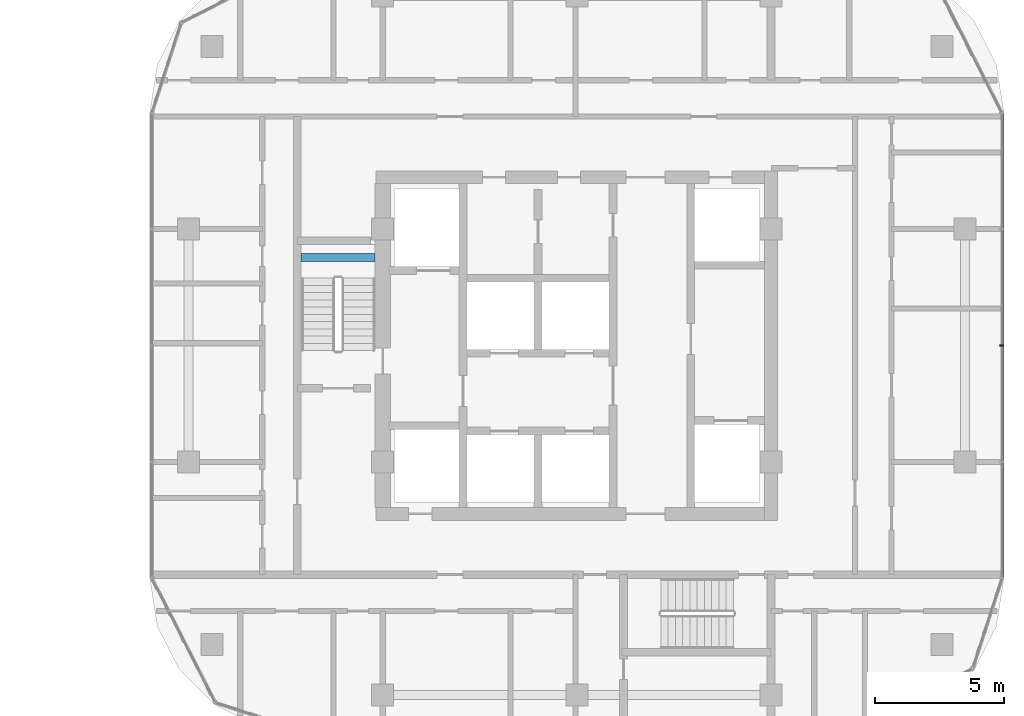
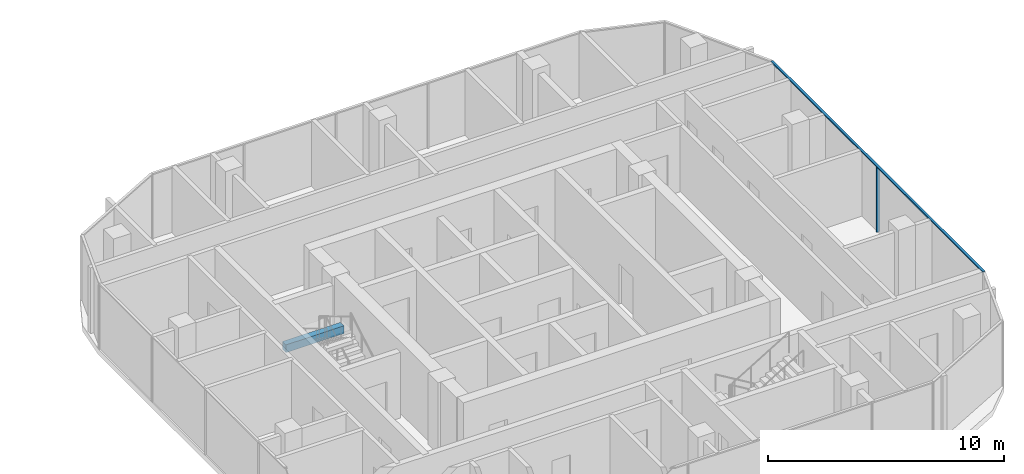
# One storey, part 12 of 33: 2 members, 1 beam, 1 element without a shape of its own.
"""IFC4 building model written with IfcOpenShell, lengths in metres."""

import ifcopenshell
import ifcopenshell.guid

model = None  # the IFC model being written
_history = None  # IfcOwnerHistory: only IFC2X3 demands one
_inside = {}  # id of a spatial element -> (the spatial element, [elements in it])
_under = {}  # id of a project, library or spatial element -> (it, [spatial elements below it])
_declared = {}  # id of a project -> (the project, [libraries it declares])
_typed = {}  # id of a type object -> (the type object, [elements of that type])
_made_of = {}  # id of a material, layer set ... -> (it, [elements and type objects made of it])


def new_model(schema):
    """Start an empty IFC model of exactly this schema.

    Asked for "IFC4X3", IfcOpenShell would pick the latest addendum, in which some entities
    have other attributes; the version numbers below select the first issue.
    IFC2X3 requires an IfcOwnerHistory on every rooted entity: one is made here for all.
    """
    global model, _history
    if schema == "IFC4X3":
        model = ifcopenshell.file(schema_version=(4, 3, 0, 0))
    else:
        model = ifcopenshell.file(schema=schema)
    _inside.clear()
    _under.clear()
    _declared.clear()
    _typed.clear()
    _made_of.clear()
    _history = None
    if model.schema == "IFC2X3":
        org = make("IfcOrganization", Name="unknown")
        user = make(
            "IfcPersonAndOrganization",
            ThePerson=make("IfcPerson", FamilyName="unknown"),
            TheOrganization=org,
        )
        app = make(
            "IfcApplication",
            ApplicationDeveloper=org,
            Version="unknown",
            ApplicationFullName="unknown",
            ApplicationIdentifier="unknown",
        )
        _history = make(
            "IfcOwnerHistory",
            OwningUser=user,
            OwningApplication=app,
            ChangeAction="ADDED",
            CreationDate=0,
        )
    return model


def make(cls, **values):
    """One entity of the class cls with the attributes given. An attribute that is None is left unset."""
    return model.create_entity(
        cls, **{name: value for name, value in values.items() if value is not None}
    )


def rooted(cls, **values):
    """An entity with a GlobalId (a new one), such as an element, a storey or a relation."""
    return make(cls, GlobalId=ifcopenshell.guid.new(), OwnerHistory=_history, **values)


def si_unit(unit_type, name, prefix=None):
    """IfcSIUnit, for example si_unit("LENGTHUNIT", "METRE", prefix="MILLI")."""
    return make("IfcSIUnit", UnitType=unit_type, Prefix=prefix, Name=name)


def assignment(units):
    """IfcUnitAssignment: the units of a project."""
    return None if units is None else make("IfcUnitAssignment", Units=units)


def point(xyz):
    """IfcCartesianPoint."""
    return None if xyz is None else make("IfcCartesianPoint", Coordinates=xyz)


def direction(xyz):
    """IfcDirection."""
    return None if xyz is None else make("IfcDirection", DirectionRatios=xyz)


def frame(location, z_axis=None, x_axis=None):
    """IfcAxis2Placement3D, a coordinate frame: its origin and axes. An axis left out is left unset."""
    return make(
        "IfcAxis2Placement3D",
        Location=point(location),
        Axis=direction(z_axis),
        RefDirection=direction(x_axis),
    )


def frame_2d(location, x_axis=None):
    """IfcAxis2Placement2D, a coordinate frame in the plane: its origin and x axis."""
    return make(
        "IfcAxis2Placement2D", Location=point(location), RefDirection=direction(x_axis)
    )


def origin():
    """The frame at (0, 0, 0) with its axes left unset."""
    return frame((0.0, 0.0, 0.0))


def origin_2d():
    """The frame at (0, 0) in the plane with its x axis left unset."""
    return frame_2d((0.0, 0.0))


def place(relative_to, where):
    """IfcLocalPlacement: puts the frame where relative to a parent placement (None: the world)."""
    return make(
        "IfcLocalPlacement", PlacementRelTo=relative_to, RelativePlacement=where
    )


def context(
    kind, dimensions, precision=None, world=None, true_north=None, identifier=None
):
    """IfcGeometricRepresentationContext, for example the 3D "Model" context."""
    return make(
        "IfcGeometricRepresentationContext",
        ContextIdentifier=identifier,
        ContextType=kind,
        CoordinateSpaceDimension=dimensions,
        Precision=precision,
        WorldCoordinateSystem=world,
        TrueNorth=true_north,
    )


def subcontext(parent, identifier, kind, view, scale=None):
    """IfcGeometricRepresentationSubContext, for example "Body" below "Model"."""
    return make(
        "IfcGeometricRepresentationSubContext",
        ContextIdentifier=identifier,
        ContextType=kind,
        ParentContext=parent,
        TargetScale=scale,
        TargetView=view,
    )


def project(units=None, contexts=None):
    """IfcProject with its units and contexts."""
    return rooted(
        "IfcProject",
        Name="project",
        RepresentationContexts=contexts,
        UnitsInContext=assignment(units),
    )


def spatial(cls, under=None, at=None, **own):
    """A site, building, storey or space (cls), placed at a placement, below another one or the project."""
    s = rooted(cls, ObjectPlacement=at, **own)
    if under is not None:
        _under.setdefault(under.id(), (under, []))[1].append(s)
    return s


def profile(cls, at=None, kind="AREA", **sizes):
    """A parametric profile (cls). Its sizes go by their IFC names, for example OverallWidth=200.0."""
    return make(cls, ProfileType=kind, Position=at, **sizes)


def rectangle(**sizes):
    """IfcRectangleProfileDef."""
    return profile("IfcRectangleProfileDef", **sizes)


def extrude(swept, where, along, depth):
    """IfcExtrudedAreaSolid: the profile swept, set in the frame where, extruded along a direction by depth."""
    return make(
        "IfcExtrudedAreaSolid",
        SweptArea=swept,
        Position=where,
        ExtrudedDirection=direction(along),
        Depth=depth,
    )


def shape(context_of_items, identifier, shape_type, items):
    """IfcShapeRepresentation: the items that make up one representation, for example the "Body"."""
    return make(
        "IfcShapeRepresentation",
        ContextOfItems=context_of_items,
        RepresentationIdentifier=identifier,
        RepresentationType=shape_type,
        Items=items,
    )


def material(Name=None, Category=None):
    """IfcMaterial."""
    return make("IfcMaterial", Name=Name, Category=Category)


def material_profile(
    of_material, cross_section, Name=None, Category=None, Priority=None
):
    """IfcMaterialProfile: a cross section and its material."""
    return make(
        "IfcMaterialProfile",
        Name=Name,
        Material=of_material,
        Profile=cross_section,
        Priority=Priority,
        Category=Category,
    )


def profile_set(profiles, Name=None, composite=None):
    """IfcMaterialProfileSet."""
    return make(
        "IfcMaterialProfileSet",
        Name=Name,
        MaterialProfiles=profiles,
        CompositeProfile=composite,
    )


def made_of(thing, what):
    """Note that an element or type object is made of a material, layer set ...; save() writes the relation."""
    if what is not None:
        _made_of.setdefault(what.id(), (what, []))[1].append(thing)
    return thing


def type_object(cls, material=None, **own):
    """A type object (cls), such as IfcWallType, which elements share."""
    return made_of(rooted(cls, **own), material)


def element(
    cls,
    number,
    at=None,
    inside=None,
    cuts=None,
    type_object=None,
    material=None,
    context=None,
    identifier="Body",
    shape_type=None,
    held_by="IfcProductDefinitionShape",
    body=None,
    shapes=None,
    **own,
):
    """One element of the class cls, such as IfcWall. Its Tag is "e" and its number.

    at: its placement. inside: the storey or other place that contains it. cuts: it is an
    opening in that element (IfcRelVoidsElement). A single representation is given by context,
    identifier, shape_type and body (its items); several are given by shapes. held_by: the class
    of the entity that holds the representations. save() writes the other relations.
    """
    e = rooted(cls, Tag="e%d" % number, ObjectPlacement=at, **own)
    if body is not None:
        shapes = [shape(context, identifier, shape_type, body)]
    if shapes is not None:
        e.Representation = make(held_by, Representations=shapes)
    if inside is not None:
        _inside.setdefault(inside.id(), (inside, []))[1].append(e)
    if cuts is not None:
        rooted(
            "IfcRelVoidsElement", RelatingBuildingElement=cuts, RelatedOpeningElement=e
        )
    if type_object is not None:
        _typed.setdefault(type_object.id(), (type_object, []))[1].append(e)
    return made_of(e, material)


def aggregate(whole, parts):
    """IfcRelAggregates: a whole, such as a stair, and the parts it consists of."""
    return rooted("IfcRelAggregates", RelatingObject=whole, RelatedObjects=parts)


def save(model, path):
    """Write the relations noted so far, then the file.

    IfcRelAggregates (storeys below a building ...), IfcRelContainedInSpatialStructure (elements
    in a storey), IfcRelDefinesByType, IfcRelAssociatesMaterial and IfcRelDeclares: one each for
    every whole, place, type object, material and project.
    """
    for whole, parts in _under.values():
        aggregate(whole, parts)
    for where, things in _inside.values():
        rooted(
            "IfcRelContainedInSpatialStructure",
            RelatedElements=things,
            RelatingStructure=where,
        )
    for kind, things in _typed.values():
        rooted("IfcRelDefinesByType", RelatedObjects=things, RelatingType=kind)
    for what, things in _made_of.values():
        rooted("IfcRelAssociatesMaterial", RelatedObjects=things, RelatingMaterial=what)
    for by, libraries in _declared.values():
        rooted("IfcRelDeclares", RelatingContext=by, RelatedDefinitions=libraries)
    model.write(path)


model = new_model("IFC4")

# Units and contexts
model_context = context("Model", 3, precision=1e-05, world=origin(), true_north=direction((0.0, 1.0)))
body_context = subcontext(model_context, "Body", "Model", "MODEL_VIEW")
ifc_project = project(units=[si_unit("LENGTHUNIT", "METRE"), si_unit("AREAUNIT", "SQUARE_METRE"), si_unit("VOLUMEUNIT", "CUBIC_METRE"), si_unit("PLANEANGLEUNIT", "RADIAN"), si_unit("MASSUNIT", "GRAM", prefix="KILO")], contexts=[model_context])

# Site, building, storey
site_placement = place(None, origin())
site = spatial("IfcSite", under=ifc_project, at=site_placement, CompositionType="ELEMENT")
building_placement = place(site_placement, origin())
building = spatial("IfcBuilding", under=site, at=building_placement, Name="Ogive Portal Towers", CompositionType="ELEMENT")
storey_placement = place(building_placement, frame((0.0, 0.0, 77.89990234375)))
storey = spatial("IfcBuildingStorey", under=building, at=storey_placement, Name="L18", CompositionType="ELEMENT", Elevation=77.89990234375)

# Beam
ifc_material_1 = material(Name="Concrete C40/50", Category="concrete")
ifc_material_profile_1 = material_profile(ifc_material_1, rectangle(XDim=0.300048828125, YDim=0.39990234375, at=origin_2d()), Name="RC 300x400")
ifc_profile_set_1 = profile_set([ifc_material_profile_1], Name="Concrete C40/50")
beam_type = type_object("IfcBeamType", Name="BEAM RC 300x400", PredefinedType="BEAM", material=ifc_profile_set_1)
beam_placement = place(storey_placement, frame((125.85009765625, 34.39990234375, 1.4501953125), z_axis=(1.0, 0.0, 0.0), x_axis=(0.0, 1.0, 0.0)))
element("IfcBeam", 1, at=beam_placement, inside=storey, type_object=beam_type, Name="Landing beam L18", PredefinedType="BEAM", context=body_context, shape_type="SweptSolid", body=[
    extrude(rectangle(XDim=0.300048828125, YDim=0.39990234375, at=origin_2d()), origin(), (0.0, 0.0, 1.0), 2.849853515625),
])

# Curtain wall, members
ifc_material_2 = material(Name="Glass, clear low-iron insulated glazing", Category="glass")
curtain_wall_type = type_object("IfcCurtainWallType", Name="CW RESIDENCES RIBBON", PredefinedType="NOTDEFINED", material=ifc_material_2)
curtain_wall_placement = place(storey_placement, origin())
curtain_wall = element("IfcCurtainWall", 2, at=curtain_wall_placement, inside=storey, type_object=curtain_wall_type, Name="B:L18:f05:cw0", PredefinedType="NOTDEFINED")
ifc_material_3 = material(Name="Aluminium 6063 anodised", Category="aluminium")
ifc_material_profile_2 = material_profile(ifc_material_3, rectangle(XDim=0.159912109375, YDim=0.06005859375, at=origin_2d()), Name="AL 60x160")
ifc_profile_set_2 = profile_set([ifc_material_profile_2], Name="Aluminium 6063 anodised")
member_type_1 = type_object("IfcMemberType", Name="CW MULLION 60x160", PredefinedType="MULLION", material=ifc_profile_set_2)
member_1_placement = place(storey_placement, frame((152.919921875, 31.0, 0.0), z_axis=(0.0, 0.0, 1.0), x_axis=(-1.0, 0.0, 0.0)))
member_1 = element("IfcMember", 3, at=member_1_placement, type_object=member_type_1, Name="mullion", PredefinedType="MULLION", context=body_context, shape_type="SweptSolid", body=[
    extrude(rectangle(XDim=0.159912109375, YDim=0.06005859375, at=origin_2d()), origin(), (0.0, 0.0, 1.0), 3.340087890625),
])
ifc_material_profile_3 = material_profile(ifc_material_3, rectangle(XDim=0.1201171875, YDim=0.06005859375, at=origin_2d()), Name="AL 120x60")
ifc_profile_set_3 = profile_set([ifc_material_profile_3], Name="Aluminium 6063 anodised")
member_type_2 = type_object("IfcMemberType", Name="CW TRANSOM 60x120", PredefinedType="USERDEFINED", material=ifc_profile_set_3)
member_2_placement = place(storey_placement, frame((152.919921875, 22.0126953125, 3.3701171875), z_axis=(0.0, 1.0, 0.0), x_axis=(-1.0, 0.0, 0.0)))
member_2 = element("IfcMember", 4, at=member_2_placement, type_object=member_type_2, Name="transom", ObjectType="TRANSOM", PredefinedType="USERDEFINED", context=body_context, shape_type="SweptSolid", body=[
    extrude(rectangle(XDim=0.1201171875, YDim=0.06005859375, at=origin_2d()), origin(), (0.0, 0.0, 1.0), 17.968017578125),
])
aggregate(curtain_wall, [member_2, member_1])

save(model, "model.ifc")
